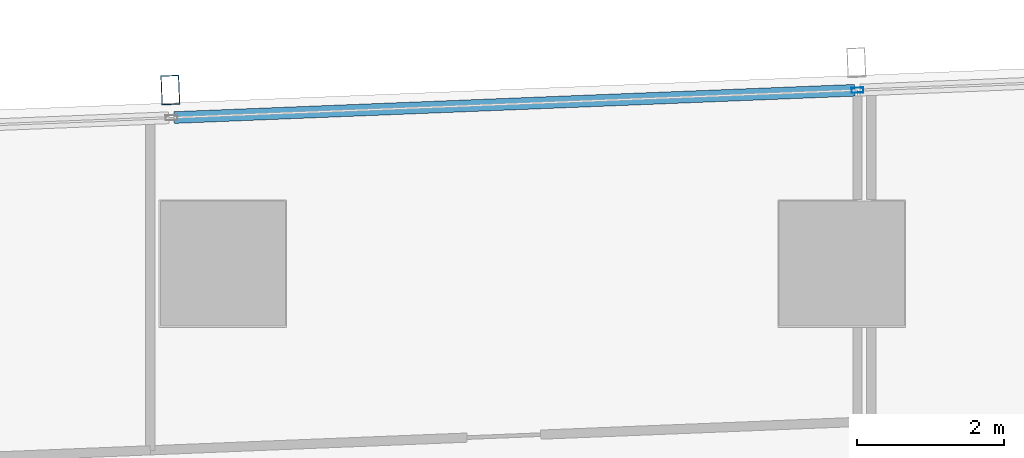
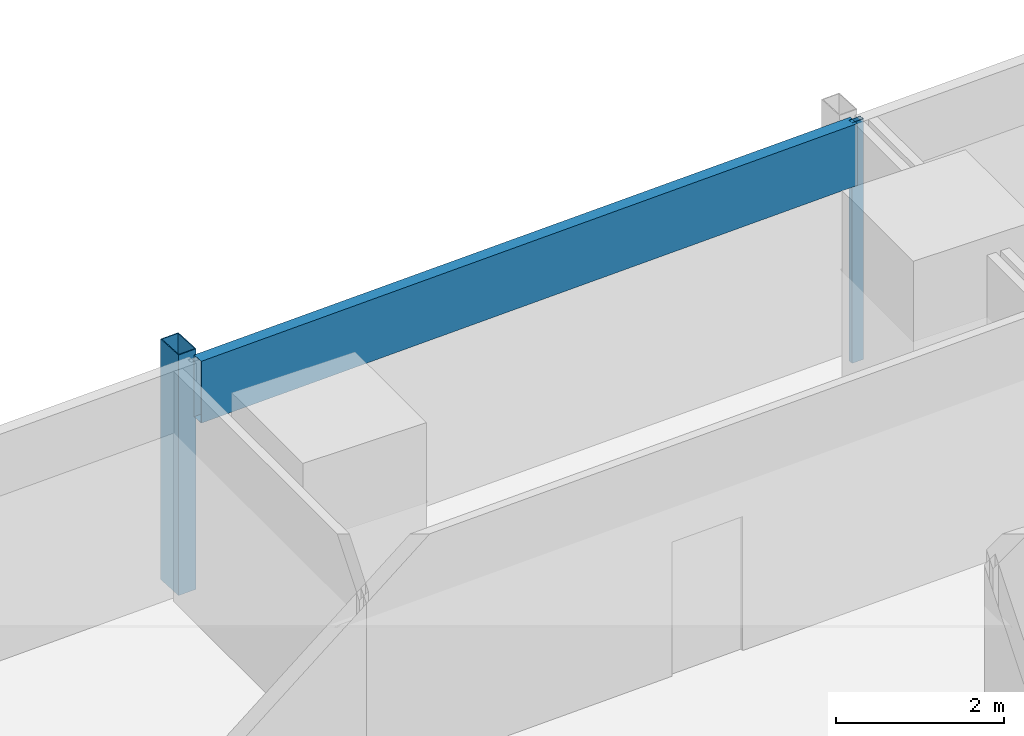
# One storey, part 16 of 40: 3 members, 1 element without a shape of its own.
"""IFC4 building model written with IfcOpenShell, lengths in metres."""

from ifc_helpers import new_model, si_unit, direction, frame, origin, origin_2d, place, context, subcontext, project, spatial, hollow_rectangle, extrude, material, material_profile, profile_set, type_object, element, aggregate, save


model = new_model("IFC4")

# Units and contexts
model_context = context("Model", 3, precision=1e-05, world=origin(), true_north=direction((0.0, 1.0)))
body_context = subcontext(model_context, "Body", "Model", "MODEL_VIEW")
ifc_project = project(units=[si_unit("LENGTHUNIT", "METRE"), si_unit("AREAUNIT", "SQUARE_METRE"), si_unit("VOLUMEUNIT", "CUBIC_METRE"), si_unit("PLANEANGLEUNIT", "RADIAN"), si_unit("MASSUNIT", "GRAM", prefix="KILO")], contexts=[model_context])

# Site, building, storey
site_placement = place(None, origin())
site = spatial("IfcSite", under=ifc_project, at=site_placement, CompositionType="ELEMENT")
building_placement = place(site_placement, origin())
building = spatial("IfcBuilding", under=site, at=building_placement, Name="Rekha Terrace Tower", CompositionType="ELEMENT")
storey_placement = place(building_placement, frame((0.0, 0.0, 102.800048828125)))
storey = spatial("IfcBuildingStorey", under=building, at=storey_placement, Name="L25", CompositionType="ELEMENT", Elevation=102.800048828125)

# Curtain wall, members
ifc_material_1 = material(Name="Aluminium framing", Category="aluminium")
curtain_wall_type = type_object("IfcCurtainWallType", Name="CW3 north unitised glazing", PredefinedType="USERDEFINED", material=ifc_material_1)
curtain_wall_placement = place(storey_placement, origin())
curtain_wall = element("IfcCurtainWall", 1, at=curtain_wall_placement, inside=storey, type_object=curtain_wall_type, Name="CW3 unitised curtain wall", ObjectType="UNITISED CURTAIN WALL", PredefinedType="USERDEFINED")
ifc_material_2 = material(Name="Steel S355 with fluorocarbon finish", Category="steel")
ifc_material_profile_1 = material_profile(ifc_material_2, hollow_rectangle(XDim=0.25, YDim=0.39990234375, WallThickness=0.012451171875, at=origin_2d()), Name="RHS400x250x12.5")
ifc_profile_set_1 = profile_set([ifc_material_profile_1], Name="Steel S355 with fluorocarbon finish")
member_type_1 = type_object("IfcMemberType", Name="BL1 facade blade RHS 400 x 250", PredefinedType="USERDEFINED", material=ifc_profile_set_1)
member_1_placement = place(storey_placement, frame((16.0869140625, 61.1552734375, 0.0), z_axis=(0.0, 0.0, 1.0), x_axis=(-0.999198382632, -0.040032388711, 0.0)))
member_1 = element("IfcMember", 2, at=member_1_placement, type_object=member_type_1, Name="Facade blade", ObjectType="FACADE BLADE", PredefinedType="USERDEFINED", context=body_context, shape_type="SweptSolid", body=[
    extrude(hollow_rectangle(XDim=0.25, YDim=0.39990234375, WallThickness=0.012451171875, at=origin_2d()), origin(), (0.0, 0.0, 1.0), 3.5),
])
ifc_material_3 = material(Name="Aluminium mullion section", Category="aluminium")
ifc_material_profile_2 = material_profile(ifc_material_3, hollow_rectangle(XDim=0.070068359375, YDim=0.159912109375, WallThickness=0.00390625, at=origin_2d()), Name="AL RHS 70x160")
ifc_profile_set_2 = profile_set([ifc_material_profile_2], Name="Aluminium mullion section")
member_type_2 = type_object("IfcMemberType", Name="CW3 mullion RHS 70 x 160", PredefinedType="MULLION", material=ifc_profile_set_2)
member_2_placement = place(storey_placement, frame((25.413818359375, 61.153564453125, 0.0), z_axis=(0.0, 0.0, 1.0), x_axis=(0.040031987119, -0.999198398721, 0.0)))
member_2 = element("IfcMember", 3, at=member_2_placement, type_object=member_type_2, Name="CW3 mullion 3", PredefinedType="MULLION", context=body_context, shape_type="SweptSolid", body=[
    extrude(hollow_rectangle(XDim=0.070068359375, YDim=0.159912109375, WallThickness=0.00390625, at=origin_2d()), origin(), (0.0, 0.0, 1.0), 3.5),
])
ifc_material_4 = material(Name="Insulated aluminium spandrel box", Category="aluminium")
ifc_material_profile_3 = material_profile(ifc_material_4, hollow_rectangle(XDim=0.159912109375, YDim=0.89990234375, WallThickness=0.0029296875, at=origin_2d()), Name="AL SPANDREL BOX 160x900")
ifc_profile_set_3 = profile_set([ifc_material_profile_3], Name="Insulated aluminium spandrel box")
member_type_3 = type_object("IfcMemberType", Name="CW3 spandrel transom 160 x 900", PredefinedType="USERDEFINED", material=ifc_profile_set_3)
member_3_placement = place(storey_placement, frame((25.37890625, 61.152099609375, 3.050048828125), z_axis=(-0.999199102424, -0.040014418831, 0.0), x_axis=(0.040014418831, -0.999199102424, 0.0)))
member_3 = element("IfcMember", 4, at=member_3_placement, type_object=member_type_3, Name="CW3 spandrel transom 3", ObjectType="TRANSOM", PredefinedType="USERDEFINED", context=body_context, shape_type="SweptSolid", body=[
    extrude(hollow_rectangle(XDim=0.159912109375, YDim=0.89990234375, WallThickness=0.0029296875, at=origin_2d()), origin(), (0.0, 0.0, 1.0), 9.24951171875),
])
aggregate(curtain_wall, [member_2, member_3, member_1])

save(model, "model.ifc")
